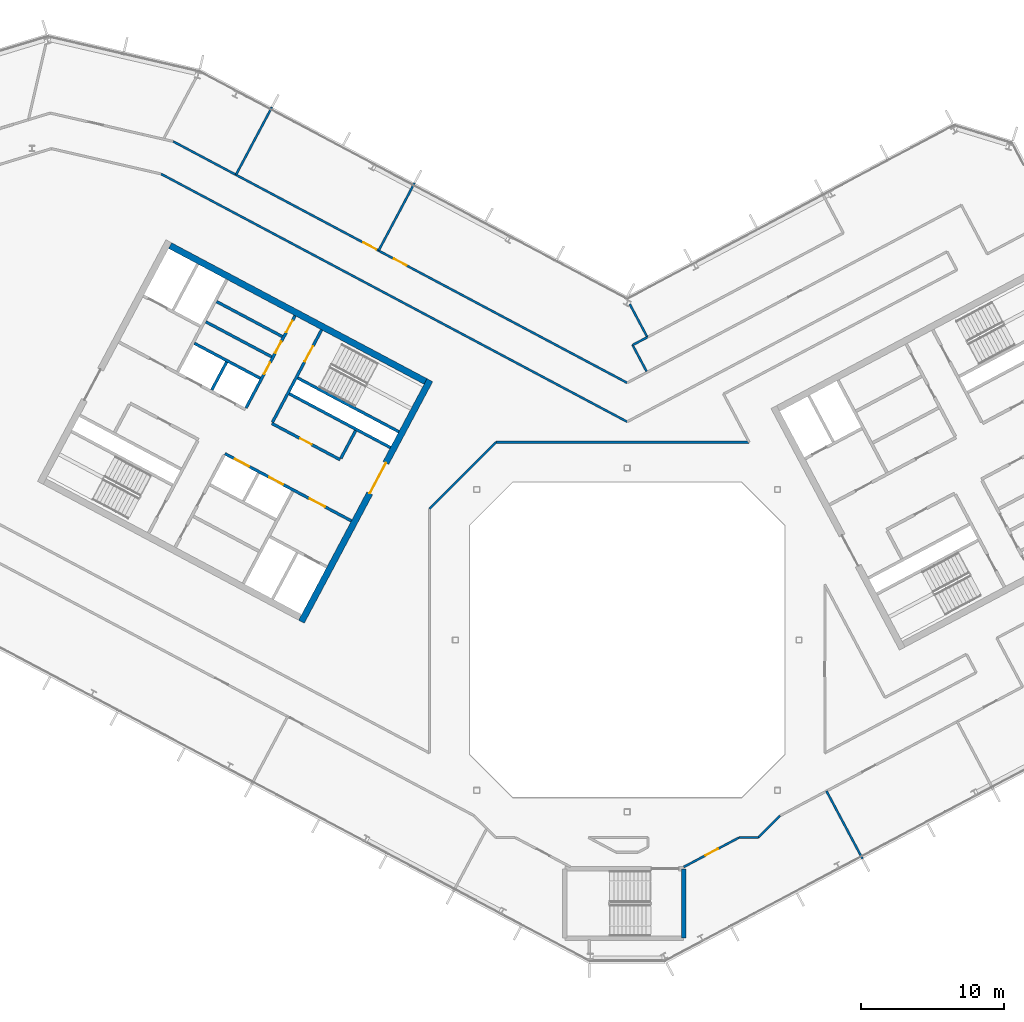
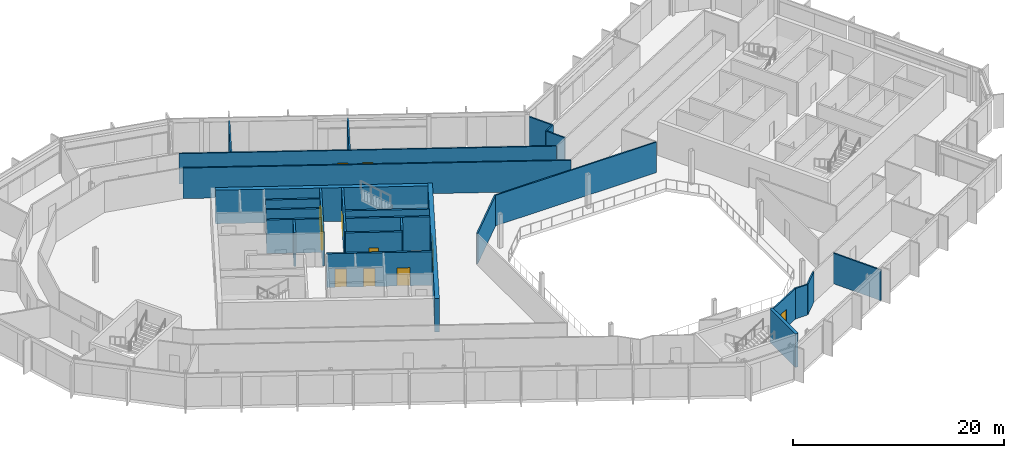
# One storey, part 15 of 26: 27 walls, 12 doors, 12 openings.
"""IFC4 building model written with IfcOpenShell, lengths in metres."""

from ifc_helpers import new_model, si_unit, direction, frame, frame_2d, origin, place, context, subcontext, project, spatial, rectangle, extrude, material, layer, layer_set, type_object, element, fill, save


model = new_model("IFC4")

# Units and contexts
model_context = context("Model", 3, precision=1e-05, world=origin(), true_north=direction((0.0, 1.0)))
body_context = subcontext(model_context, "Body", "Model", "MODEL_VIEW")
ifc_project = project(units=[si_unit("LENGTHUNIT", "METRE"), si_unit("AREAUNIT", "SQUARE_METRE"), si_unit("VOLUMEUNIT", "CUBIC_METRE"), si_unit("PLANEANGLEUNIT", "RADIAN"), si_unit("MASSUNIT", "GRAM", prefix="KILO")], contexts=[model_context])

# Site, building, storey
site_placement = place(None, origin())
site = spatial("IfcSite", under=ifc_project, at=site_placement, CompositionType="ELEMENT")
building_placement = place(site_placement, origin())
building = spatial("IfcBuilding", under=site, at=building_placement, Name="Cormorant Relay Tower", CompositionType="ELEMENT")
storey_placement = place(building_placement, frame((0.0, 0.0, 312.60009765625)))
storey = spatial("IfcBuildingStorey", under=building, at=storey_placement, Name="L71", CompositionType="ELEMENT", Elevation=312.60009765625)

# Walls
ifc_material_1 = material(Name="Concrete 40 MPa", Category="concrete")
ifc_layer_1 = layer(ifc_material_1, 0.199951171875)
ifc_layer_set_1 = layer_set([ifc_layer_1], Name="Core internal wall 200")
wall_type_1 = type_object("IfcWallType", Name="Core internal wall 200", PredefinedType="SOLIDWALL", material=ifc_layer_set_1)
wall_1_placement = place(storey_placement, frame((-27.9658203125, 19.39990234375, 0.0), z_axis=(0.0, 0.0, 1.0), x_axis=(-0.4694473164, -0.882960484464, 0.0)))
element("IfcWall", 1, at=wall_1_placement, inside=storey, type_object=wall_type_1, Name="L71 core A shaft and room wall", PredefinedType="SOLIDWALL", context=body_context, shape_type="SweptSolid", body=[
    extrude(rectangle(XDim=2.199951171875, YDim=0.199951171875, at=frame_2d((1.10009765625, 0.0))), origin(), (0.0, 0.0, 1.0), 3.89990234375),
])
for number, where, z_axis, x_axis, name in (
    (2, (-24.073974609375, 21.181396484375, 0.0), (0.0, 0.0, 1.0), (-0.882953967957, 0.469459572775, 0.0), "L71 core A shaft and room wall"),
    (3, (-24.824951171875, 19.7685546875, 0.0), (0.0, 0.0, 1.0), (-0.882934506056, 0.469496174655, 0.0), "L71 core A shaft and room wall"),
):
    element("IfcWall", number, at=place(storey_placement, frame(where, z_axis=z_axis, x_axis=x_axis)), inside=storey, type_object=wall_type_1, Name=name, PredefinedType="SOLIDWALL", context=body_context, shape_type="SweptSolid", body=[
        extrude(rectangle(XDim=5.199951171875, YDim=0.199951171875, at=frame_2d((2.60009765625, 0.0))), origin(), (0.0, 0.0, 1.0), 3.89990234375),
    ])
ifc_material_2 = material(Name="Concrete 50 MPa", Category="concrete")
ifc_layer_2 = layer(ifc_material_2, 0.199951171875)
ifc_layer_set_2 = layer_set([ifc_layer_2], Name="Core shaft wall 200")
wall_type_2 = type_object("IfcWallType", Name="Core shaft wall 200", PredefinedType="SHEAR", material=ifc_layer_set_2)
wall_2_placement = place(storey_placement, frame((-18.959716796875, 14.611328125, 0.0), z_axis=(0.0, 0.0, 1.0), x_axis=(-0.4694473164, -0.882960484464, 0.0)))
element("IfcWall", 4, at=wall_2_placement, inside=storey, type_object=wall_type_2, Name="L71 core A shaft wall", PredefinedType="SHEAR", context=body_context, shape_type="SweptSolid", body=[
    extrude(rectangle(XDim=2.199951171875, YDim=0.199951171875, at=frame_2d((1.10009765625, 0.0))), origin(), (0.0, 0.0, 1.0), 3.89990234375),
])

# Wall, opening, door
wall_3_placement = place(storey_placement, frame((-21.333251953125, 21.6494140625, 0.0), z_axis=(0.0, 0.0, 1.0), x_axis=(-0.469494272526, -0.882935517501, 0.0)))
wall_3 = element("IfcWall", 5, at=wall_3_placement, inside=storey, type_object=wall_type_2, Name="L71 core A shaft wall", PredefinedType="SHEAR", context=body_context, shape_type="SweptSolid", body=[
    extrude(rectangle(XDim=7.2998046875, YDim=0.199951171875, at=frame_2d((3.64990234375, 0.0))), origin(), (0.0, 0.0, 1.0), 3.89990234375),
])
opening_1_placement = place(wall_3_placement, frame((1.300048828125, 0.0, 0.0)))
opening_1 = element("IfcOpeningElement", 6, at=opening_1_placement, cuts=wall_3, Name="Opening CDB-038", PredefinedType="OPENING", context=body_context, shape_type="SweptSolid", body=[
    extrude(rectangle(XDim=1.199951171875, YDim=2.10009765625, at=frame_2d((0.60009765625, 1.050048828125))), frame((0.0, 0.10986328125, 0.0), z_axis=(0.0, -1.0, 0.0), x_axis=(1.0, 0.0, 0.0)), (0.0, 0.0, 1.0), 0.219970703125),
])
ifc_material_3 = material(Name="Steel fire door", Category="steel")
door_type_1 = type_object("IfcDoorType", Name="Core stair door 1200x2100", OperationType="SINGLE_SWING_LEFT", PredefinedType="DOOR", material=ifc_material_3)
door_1_placement = place(opening_1_placement, origin())
door_1 = element("IfcDoor", 7, at=door_1_placement, inside=storey, type_object=door_type_1, Name="Core stair door 1200x2100", OperationType="SINGLE_SWING_RIGHT", OverallHeight=2.10009765625, OverallWidth=1.199951171875, PredefinedType="DOOR", context=body_context, shape_type="SweptSolid", body=[
    extrude(rectangle(XDim=1.199951171875, YDim=2.10009765625, at=frame_2d((0.60009765625, 1.050048828125))), frame((0.0, 0.02490234375, 0.0), z_axis=(0.0, -1.0, 0.0), x_axis=(1.0, 0.0, 0.0)), (0.0, 0.0, 1.0), 0.050048828125),
])
fill(opening_1, door_1)

# Wall, openings, doors
wall_4_placement = place(storey_placement, frame((-23.1875, 22.635498046875, 0.0), z_axis=(0.0, 0.0, 1.0), x_axis=(-0.469454336211, -0.882956752176, 0.0)))
wall_4 = element("IfcWall", 8, at=wall_4_placement, inside=storey, type_object=wall_type_2, Name="L71 core A shaft wall", PredefinedType="SHEAR", context=body_context, shape_type="SweptSolid", body=[
    extrude(rectangle(XDim=7.300048828125, YDim=0.199951171875, at=frame_2d((3.64990234375, 0.0))), origin(), (0.0, 0.0, 1.0), 3.89990234375),
])
opening_2_placement = place(wall_4_placement, frame((0.39990234375, 0.0, 0.0)))
opening_2 = element("IfcOpeningElement", 9, at=opening_2_placement, cuts=wall_4, Name="Opening CDD-347", PredefinedType="OPENING", context=body_context, shape_type="SweptSolid", body=[
    extrude(rectangle(XDim=0.89990234375, YDim=2.10009765625, at=frame_2d((0.449951171875, 1.050048828125))), frame((0.0, 0.10986328125, 0.0), z_axis=(0.0, -1.0, 0.0), x_axis=(1.0, 0.0, 0.0)), (0.0, 0.0, 1.0), 0.219970703125),
])
opening_3_placement = place(wall_4_placement, frame((2.050048828125, 0.0, 0.0)))
opening_3 = element("IfcOpeningElement", 10, at=opening_3_placement, cuts=wall_4, Name="Opening CDD-292", PredefinedType="OPENING", context=body_context, shape_type="SweptSolid", body=[
    extrude(rectangle(XDim=0.89990234375, YDim=2.10009765625, at=frame_2d((0.449951171875, 1.050048828125))), frame((0.0, 0.10986328125, 0.0), z_axis=(0.0, -1.0, 0.0), x_axis=(1.0, 0.0, 0.0)), (0.0, 0.0, 1.0), 0.219970703125),
])
opening_4_placement = place(wall_4_placement, frame((3.699951171875, 0.0, 0.0)))
opening_4 = element("IfcOpeningElement", 11, at=opening_4_placement, cuts=wall_4, Name="Opening CDD-331", PredefinedType="OPENING", context=body_context, shape_type="SweptSolid", body=[
    extrude(rectangle(XDim=0.89990234375, YDim=2.10009765625, at=frame_2d((0.449951171875, 1.050048828125))), frame((0.0, 0.10986328125, 0.0), z_axis=(0.0, -1.0, 0.0), x_axis=(1.0, 0.0, 0.0)), (0.0, 0.0, 1.0), 0.219970703125),
])
ifc_material_4 = material(Name="Steel fire door", Category="steel")
door_type_2 = type_object("IfcDoorType", Name="Core room door 900x2100", OperationType="SINGLE_SWING_LEFT", PredefinedType="DOOR", material=ifc_material_4)
door_2_placement = place(opening_2_placement, origin())
door_2 = element("IfcDoor", 12, at=door_2_placement, inside=storey, type_object=door_type_2, Name="Core room door 900x2100", OperationType="SINGLE_SWING_LEFT", OverallHeight=2.10009765625, OverallWidth=0.89990234375, PredefinedType="DOOR", context=body_context, shape_type="SweptSolid", body=[
    extrude(rectangle(XDim=0.89990234375, YDim=2.10009765625, at=frame_2d((0.449951171875, 1.050048828125))), frame((0.0, 0.02490234375, 0.0), z_axis=(0.0, -1.0, 0.0), x_axis=(1.0, 0.0, 0.0)), (0.0, 0.0, 1.0), 0.050048828125),
])
fill(opening_2, door_2)
door_3_placement = place(opening_3_placement, origin())
door_3 = element("IfcDoor", 13, at=door_3_placement, inside=storey, type_object=door_type_2, Name="Core room door 900x2100", OperationType="SINGLE_SWING_LEFT", OverallHeight=2.10009765625, OverallWidth=0.89990234375, PredefinedType="DOOR", context=body_context, shape_type="SweptSolid", body=[
    extrude(rectangle(XDim=0.89990234375, YDim=2.10009765625, at=frame_2d((0.449951171875, 1.050048828125))), frame((0.0, 0.02490234375, 0.0), z_axis=(0.0, -1.0, 0.0), x_axis=(1.0, 0.0, 0.0)), (0.0, 0.0, 1.0), 0.050048828125),
])
fill(opening_3, door_3)
door_4_placement = place(opening_4_placement, origin())
door_4 = element("IfcDoor", 14, at=door_4_placement, inside=storey, type_object=door_type_2, Name="Core room door 900x2100", OperationType="SINGLE_SWING_LEFT", OverallHeight=2.10009765625, OverallWidth=0.89990234375, PredefinedType="DOOR", context=body_context, shape_type="SweptSolid", body=[
    extrude(rectangle(XDim=0.89990234375, YDim=2.10009765625, at=frame_2d((0.449951171875, 1.050048828125))), frame((0.0, 0.02490234375, 0.0), z_axis=(0.0, -1.0, 0.0), x_axis=(1.0, 0.0, 0.0)), (0.0, 0.0, 1.0), 0.050048828125),
])
fill(opening_4, door_4)

# Walls
wall_5_placement = place(storey_placement, frame((-15.94189453125, 14.53564453125, 0.0), z_axis=(0.0, 0.0, 1.0), x_axis=(-0.882946947542, 0.469472776449, 0.0)))
element("IfcWall", 15, at=wall_5_placement, inside=storey, type_object=wall_type_2, Name="L71 core A shaft wall", PredefinedType="SHEAR", context=body_context, shape_type="SweptSolid", body=[
    extrude(rectangle(XDim=8.000244140625, YDim=0.199951171875, at=frame_2d((4.0, 0.0))), origin(), (0.0, 0.0, 1.0), 3.89990234375),
])
wall_6_placement = place(storey_placement, frame((-16.52880859375, 13.43212890625, 0.0), z_axis=(0.0, 0.0, 1.0), x_axis=(-0.88295287151, 0.469461634952, 0.0)))
element("IfcWall", 16, at=wall_6_placement, inside=storey, type_object=wall_type_2, Name="L71 core A shaft wall", PredefinedType="SHEAR", context=body_context, shape_type="SweptSolid", body=[
    extrude(rectangle(XDim=7.999755859375, YDim=0.199951171875, at=frame_2d((4.0, 0.0))), origin(), (0.0, 0.0, 1.0), 3.89990234375),
])
wall_7_placement = place(storey_placement, frame((-25.623046875, 18.267578125, 0.0), z_axis=(0.0, 0.0, 1.0), x_axis=(-0.882953967957, 0.469459572775, 0.0)))
element("IfcWall", 17, at=wall_7_placement, inside=storey, type_object=wall_type_2, Name="L71 core A shaft wall", PredefinedType="SHEAR", context=body_context, shape_type="SweptSolid", body=[
    extrude(rectangle(XDim=5.199951171875, YDim=0.199951171875, at=frame_2d((2.60009765625, 0.0))), origin(), (0.0, 0.0, 1.0), 3.89990234375),
])

# Wall, opening, door
wall_8_placement = place(storey_placement, frame((-20.03955078125, 12.58056640625, 0.0), z_axis=(0.0, 0.0, 1.0), x_axis=(-0.882942972946, 0.469480251476, 0.0)))
wall_8 = element("IfcWall", 18, at=wall_8_placement, inside=storey, type_object=wall_type_2, Name="L71 core A shaft wall", PredefinedType="SHEAR", context=body_context, shape_type="SweptSolid", body=[
    extrude(rectangle(XDim=5.39990234375, YDim=0.199951171875, at=frame_2d((2.699951171875, 0.0))), origin(), (0.0, 0.0, 1.0), 3.89990234375),
])
opening_5_placement = place(wall_8_placement, frame((2.25, 0.0, 0.0)))
opening_5 = element("IfcOpeningElement", 19, at=opening_5_placement, cuts=wall_8, Name="Opening CDD-319", PredefinedType="OPENING", context=body_context, shape_type="SweptSolid", body=[
    extrude(rectangle(XDim=0.89990234375, YDim=2.10009765625, at=frame_2d((0.449951171875, 1.050048828125))), frame((0.0, 0.10986328125, 0.0), z_axis=(0.0, -1.0, 0.0), x_axis=(1.0, 0.0, 0.0)), (0.0, 0.0, 1.0), 0.219970703125),
])
door_5_placement = place(opening_5_placement, origin())
door_5 = element("IfcDoor", 20, at=door_5_placement, inside=storey, type_object=door_type_2, Name="Core room door 900x2100", OperationType="SINGLE_SWING_LEFT", OverallHeight=2.10009765625, OverallWidth=0.89990234375, PredefinedType="DOOR", context=body_context, shape_type="SweptSolid", body=[
    extrude(rectangle(XDim=0.89990234375, YDim=2.10009765625, at=frame_2d((0.449951171875, 1.050048828125))), frame((0.0, 0.02490234375, 0.0), z_axis=(0.0, -1.0, 0.0), x_axis=(1.0, 0.0, 0.0)), (0.0, 0.0, 1.0), 0.050048828125),
])
fill(opening_5, door_5)

# Wall, openings, doors
wall_9_placement = place(storey_placement, frame((-19.251708984375, 8.31103515625, 0.0), z_axis=(0.0, 0.0, 1.0), x_axis=(-0.882955722218, 0.469456273365, 0.0)))
wall_9 = element("IfcWall", 21, at=wall_9_placement, inside=storey, type_object=wall_type_2, Name="L71 core A shaft wall", PredefinedType="SHEAR", context=body_context, shape_type="SweptSolid", body=[
    extrude(rectangle(XDim=10.0, YDim=0.199951171875, at=frame_2d((5.0, 0.0))), origin(), (0.0, 0.0, 1.0), 3.89990234375),
])
opening_6_placement = place(wall_9_placement, frame((2.10009765625, 0.0, 0.0)))
opening_6 = element("IfcOpeningElement", 22, at=opening_6_placement, cuts=wall_9, Name="Opening CDC-033", PredefinedType="OPENING", context=body_context, shape_type="SweptSolid", body=[
    extrude(rectangle(XDim=1.199951171875, YDim=2.10009765625, at=frame_2d((0.60009765625, 1.050048828125))), frame((0.0, 0.10986328125, 0.0), z_axis=(0.0, -1.0, 0.0), x_axis=(1.0, 0.0, 0.0)), (0.0, 0.0, 1.0), 0.219970703125),
])
opening_7_placement = place(wall_9_placement, frame((5.39990234375, 0.0, 0.0)))
opening_7 = element("IfcOpeningElement", 23, at=opening_7_placement, cuts=wall_9, Name="Opening LD1-065", PredefinedType="OPENING", context=body_context, shape_type="SweptSolid", body=[
    extrude(rectangle(XDim=1.10009765625, YDim=2.10009765625, at=frame_2d((0.550048828125, 1.050048828125))), frame((0.0, 0.10986328125, 0.0), z_axis=(0.0, -1.0, 0.0), x_axis=(1.0, 0.0, 0.0)), (0.0, 0.0, 1.0), 0.219970703125),
])
opening_8_placement = place(wall_9_placement, frame((8.10009765625, 0.0, 0.0)))
opening_8 = element("IfcOpeningElement", 24, at=opening_8_placement, cuts=wall_9, Name="Opening LD1-066", PredefinedType="OPENING", context=body_context, shape_type="SweptSolid", body=[
    extrude(rectangle(XDim=1.10009765625, YDim=2.10009765625, at=frame_2d((0.550048828125, 1.050048828125))), frame((0.0, 0.10986328125, 0.0), z_axis=(0.0, -1.0, 0.0), x_axis=(1.0, 0.0, 0.0)), (0.0, 0.0, 1.0), 0.219970703125),
])
ifc_material_5 = material(Name="Steel fire door", Category="steel")
door_type_3 = type_object("IfcDoorType", Name="Core lobby door 1200x2100", OperationType="SINGLE_SWING_LEFT", PredefinedType="DOOR", material=ifc_material_5)
door_6_placement = place(opening_6_placement, origin())
door_6 = element("IfcDoor", 25, at=door_6_placement, inside=storey, type_object=door_type_3, Name="Core lobby door 1200x2100", OperationType="SINGLE_SWING_RIGHT", OverallHeight=2.10009765625, OverallWidth=1.199951171875, PredefinedType="DOOR", context=body_context, shape_type="SweptSolid", body=[
    extrude(rectangle(XDim=1.199951171875, YDim=2.10009765625, at=frame_2d((0.60009765625, 1.050048828125))), frame((0.0, 0.02490234375, 0.0), z_axis=(0.0, -1.0, 0.0), x_axis=(1.0, 0.0, 0.0)), (0.0, 0.0, 1.0), 0.050048828125),
])
fill(opening_6, door_6)
ifc_material_6 = material(Name="Stainless steel 316", Category="steel")
door_type_4 = type_object("IfcDoorType", Name="Lift landing door 1100x2100", OperationType="DOUBLE_DOOR_SLIDING", PredefinedType="DOOR", material=ifc_material_6)
door_7_placement = place(opening_7_placement, origin())
door_7 = element("IfcDoor", 26, at=door_7_placement, inside=storey, type_object=door_type_4, Name="HR1 landing door", OperationType="DOUBLE_DOOR_SLIDING", OverallHeight=2.10009765625, OverallWidth=1.10009765625, PredefinedType="DOOR", context=body_context, shape_type="SweptSolid", body=[
    extrude(rectangle(XDim=1.10009765625, YDim=2.10009765625, at=frame_2d((0.550048828125, 1.050048828125))), frame((0.0, 0.02490234375, 0.0), z_axis=(0.0, -1.0, 0.0), x_axis=(1.0, 0.0, 0.0)), (0.0, 0.0, 1.0), 0.050048828125),
])
fill(opening_7, door_7)
door_8_placement = place(opening_8_placement, origin())
door_8 = element("IfcDoor", 27, at=door_8_placement, inside=storey, type_object=door_type_4, Name="HR2 landing door", OperationType="DOUBLE_DOOR_SLIDING", OverallHeight=2.10009765625, OverallWidth=1.10009765625, PredefinedType="DOOR", context=body_context, shape_type="SweptSolid", body=[
    extrude(rectangle(XDim=1.10009765625, YDim=2.10009765625, at=frame_2d((0.550048828125, 1.050048828125))), frame((0.0, 0.02490234375, 0.0), z_axis=(0.0, -1.0, 0.0), x_axis=(1.0, 0.0, 0.0)), (0.0, 0.0, 1.0), 0.050048828125),
])
fill(opening_8, door_8)

# Wall, opening, door
ifc_material_7 = material(Name="Concrete 50 MPa", Category="concrete")
ifc_layer_3 = layer(ifc_material_7, 0.449951171875)
ifc_layer_set_3 = layer_set([ifc_layer_3], Name="Core wall 450")
wall_type_3 = type_object("IfcWallType", Name="Core wall 450", PredefinedType="SHEAR", material=ifc_layer_set_3)
wall_10_placement = place(storey_placement, frame((-13.771484375, 18.138427734375, 0.0), z_axis=(0.0, 0.0, 1.0), x_axis=(-0.469467968382, -0.882949504028, 0.0)))
wall_10 = element("IfcWall", 28, at=wall_10_placement, inside=storey, type_object=wall_type_3, Name="L71 core A wall", PredefinedType="SHEAR", context=body_context, shape_type="SweptSolid", body=[
    extrude(rectangle(XDim=19.099853515625, YDim=0.449951171875, at=frame_2d((9.5498046875, 0.0))), origin(), (0.0, 0.0, 1.0), 3.89990234375),
])
opening_9_placement = place(wall_10_placement, frame((6.550048828125, 0.0, 0.0)))
opening_9 = element("IfcOpeningElement", 29, at=opening_9_placement, cuts=wall_10, Name="Opening CDA-050", PredefinedType="OPENING", context=body_context, shape_type="SweptSolid", body=[
    extrude(rectangle(XDim=2.39990234375, YDim=2.39990234375, at=frame_2d((1.199951171875, 1.199951171875))), frame((0.0, 0.23486328125, 0.0), z_axis=(0.0, -1.0, 0.0), x_axis=(1.0, 0.0, 0.0)), (0.0, 0.0, 1.0), 0.469970703125),
])
ifc_material_8 = material(Name="Steel fire door", Category="steel")
door_type_5 = type_object("IfcDoorType", Name="Core lobby door 2400x2400", OperationType="DOUBLE_DOOR_SINGLE_SWING", PredefinedType="DOOR", material=ifc_material_8)
door_9_placement = place(opening_9_placement, origin())
door_9 = element("IfcDoor", 30, at=door_9_placement, inside=storey, type_object=door_type_5, Name="Core lobby door 2400x2400", OperationType="DOUBLE_DOOR_SINGLE_SWING", OverallHeight=2.39990234375, OverallWidth=2.39990234375, PredefinedType="DOOR", context=body_context, shape_type="SweptSolid", body=[
    extrude(rectangle(XDim=2.39990234375, YDim=2.39990234375, at=frame_2d((1.199951171875, 1.199951171875))), frame((0.0, 0.02490234375, 0.0), z_axis=(0.0, -1.0, 0.0), x_axis=(1.0, 0.0, 0.0)), (0.0, 0.0, 1.0), 0.050048828125),
])
fill(opening_9, door_9)

# Walls
wall_11_placement = place(storey_placement, frame((-14.07568359375, 18.04541015625, 0.0), z_axis=(0.0, 0.0, 1.0), x_axis=(-0.882947755831, 0.46947125628, 0.0)))
element("IfcWall", 31, at=wall_11_placement, inside=storey, type_object=wall_type_3, Name="L71 core A wall", PredefinedType="SHEAR", context=body_context, shape_type="SweptSolid", body=[
    extrude(rectangle(XDim=20.2001953125, YDim=0.449951171875, at=frame_2d((10.10009765625, 0.0))), origin(), (0.0, 0.0, 1.0), 3.89990234375),
])
ifc_material_9 = material(Name="Gypsum board fire partition")
ifc_layer_4 = layer(ifc_material_9, 0.14990234375)
ifc_layer_set_4 = layer_set([ifc_layer_4], Name="Corridor partition 150 EI 60")
wall_type_4 = type_object("IfcWallType", Name="Corridor partition 150 EI 60", PredefinedType="PARTITIONING", material=ifc_layer_set_4)
wall_12_placement = place(storey_placement, frame((-32.541015625, 32.534912109375, 0.0), z_axis=(0.0, 0.0, 1.0), x_axis=(0.882951675281, -0.469463884787, 0.0)))
element("IfcWall", 32, at=wall_12_placement, inside=storey, type_object=wall_type_4, Name="wall/L71/part/016", PredefinedType="PARTITIONING", context=body_context, shape_type="SweptSolid", body=[
    extrude(rectangle(XDim=36.854736328125, YDim=0.14990234375, at=frame_2d((18.42724609375, 0.0))), origin(), (0.0, 0.0, 1.0), 3.539794921875),
])
wall_13_placement = place(storey_placement, frame((8.51806640625, 13.800048828125, 0.0), z_axis=(0.0, 0.0, 1.0), x_axis=(-1.0, 0.0, 0.0)))
element("IfcWall", 33, at=wall_13_placement, inside=storey, type_object=wall_type_4, Name="wall/L71/part/021", PredefinedType="PARTITIONING", context=body_context, shape_type="SweptSolid", body=[
    extrude(rectangle(XDim=17.677978515625, YDim=0.14990234375, at=frame_2d((8.8388671875, 0.0))), origin(), (0.0, 0.0, 1.0), 3.539794921875),
])
wall_14_placement = place(storey_placement, frame((-9.159912109375, 13.800048828125, 0.0), z_axis=(0.0, 0.0, 1.0), x_axis=(-0.707106781187, -0.707106781187, 0.0)))
element("IfcWall", 34, at=wall_14_placement, inside=storey, type_object=wall_type_4, Name="wall/L71/part/022", PredefinedType="PARTITIONING", context=body_context, shape_type="SweptSolid", body=[
    extrude(rectangle(XDim=6.562255859375, YDim=0.14990234375, at=frame_2d((3.28125, 0.0))), origin(), (0.0, 0.0, 1.0), 3.539794921875),
])

# Wall, openings, doors
wall_15_placement = place(storey_placement, frame((-31.693115234375, 34.802978515625, 0.0), z_axis=(0.0, 0.0, 1.0), x_axis=(0.882941558982, -0.469482910683, 0.0)))
wall_15 = element("IfcWall", 35, at=wall_15_placement, inside=storey, type_object=wall_type_4, Name="wall/L71/part/039", PredefinedType="PARTITIONING", context=body_context, shape_type="SweptSolid", body=[
    extrude(rectangle(XDim=35.89501953125, YDim=0.14990234375, at=frame_2d((17.947509765625, 0.0))), origin(), (0.0, 0.0, 1.0), 3.539794921875),
])
opening_10_placement = place(wall_15_placement, frame((17.449951171875, 0.0, 0.0)))
opening_10 = element("IfcOpeningElement", 36, at=opening_10_placement, cuts=wall_15, Name="Opening DS-247", PredefinedType="OPENING", context=body_context, shape_type="SweptSolid", body=[
    extrude(rectangle(XDim=1.0, YDim=2.10009765625, at=frame_2d((0.5, 1.050048828125))), frame((0.0, 0.0849609375, 0.0), z_axis=(0.0, -1.0, 0.0), x_axis=(1.0, 0.0, 0.0)), (0.0, 0.0, 1.0), 0.169921875),
])
opening_11_placement = place(wall_15_placement, frame((15.050048828125, 0.0, 0.0)))
opening_11 = element("IfcOpeningElement", 37, at=opening_11_placement, cuts=wall_15, Name="Opening DS-248", PredefinedType="OPENING", context=body_context, shape_type="SweptSolid", body=[
    extrude(rectangle(XDim=1.0, YDim=2.10009765625, at=frame_2d((0.5, 1.050048828125))), frame((0.0, 0.0849609375, 0.0), z_axis=(0.0, -1.0, 0.0), x_axis=(1.0, 0.0, 0.0)), (0.0, 0.0, 1.0), 0.169921875),
])
ifc_material_10 = material(Name="Timber door leaf", Category="wood")
door_type_6 = type_object("IfcDoorType", Name="Suite door 1000x2100", OperationType="SINGLE_SWING_LEFT", PredefinedType="DOOR", material=ifc_material_10)
door_10_placement = place(opening_10_placement, origin())
door_10 = element("IfcDoor", 38, at=door_10_placement, inside=storey, type_object=door_type_6, Name="door/L71/006", OperationType="SINGLE_SWING_LEFT", OverallHeight=2.10009765625, OverallWidth=1.0, PredefinedType="DOOR", context=body_context, shape_type="SweptSolid", body=[
    extrude(rectangle(XDim=1.0, YDim=2.10009765625, at=frame_2d((0.5, 1.050048828125))), frame((0.0, 0.02490234375, 0.0), z_axis=(0.0, -1.0, 0.0), x_axis=(1.0, 0.0, 0.0)), (0.0, 0.0, 1.0), 0.050048828125),
])
fill(opening_10, door_10)
door_11_placement = place(opening_11_placement, origin())
door_11 = element("IfcDoor", 39, at=door_11_placement, inside=storey, type_object=door_type_6, Name="door/L71/007", OperationType="SINGLE_SWING_RIGHT", OverallHeight=2.10009765625, OverallWidth=1.0, PredefinedType="DOOR", context=body_context, shape_type="SweptSolid", body=[
    extrude(rectangle(XDim=1.0, YDim=2.10009765625, at=frame_2d((0.5, 1.050048828125))), frame((0.0, 0.02490234375, 0.0), z_axis=(0.0, -1.0, 0.0), x_axis=(1.0, 0.0, 0.0)), (0.0, 0.0, 1.0), 0.050048828125),
])
fill(opening_11, door_11)

# Wall, opening, door
wall_16_placement = place(storey_placement, frame((7.806884765625, -13.800048828125, 0.0), z_axis=(0.0, 0.0, 1.0), x_axis=(-0.883014998399, -0.469344769442, 0.0)))
wall_16 = element("IfcWall", 40, at=wall_16_placement, inside=storey, type_object=wall_type_4, Name="wall/L71/part/055", PredefinedType="PARTITIONING", context=body_context, shape_type="SweptSolid", body=[
    extrude(rectangle(XDim=4.36328125, YDim=0.14990234375, at=frame_2d((2.181640625, 0.0))), origin(), (0.0, 0.0, 1.0), 3.539794921875),
])
opening_12_placement = place(wall_16_placement, frame((1.64990234375, 0.0, 0.0)))
opening_12 = element("IfcOpeningElement", 41, at=opening_12_placement, cuts=wall_16, Name="Opening DS-243", PredefinedType="OPENING", context=body_context, shape_type="SweptSolid", body=[
    extrude(rectangle(XDim=1.0, YDim=2.10009765625, at=frame_2d((0.5, 1.050048828125))), frame((0.0, 0.0849609375, 0.0), z_axis=(0.0, -1.0, 0.0), x_axis=(1.0, 0.0, 0.0)), (0.0, 0.0, 1.0), 0.169921875),
])
door_12_placement = place(opening_12_placement, origin())
door_12 = element("IfcDoor", 42, at=door_12_placement, inside=storey, type_object=door_type_6, Name="door/L71/002", OperationType="SINGLE_SWING_LEFT", OverallHeight=2.10009765625, OverallWidth=1.0, PredefinedType="DOOR", context=body_context, shape_type="SweptSolid", body=[
    extrude(rectangle(XDim=1.0, YDim=2.10009765625, at=frame_2d((0.5, 1.050048828125))), frame((0.0, 0.02490234375, 0.0), z_axis=(0.0, -1.0, 0.0), x_axis=(1.0, 0.0, 0.0)), (0.0, 0.0, 1.0), 0.050048828125),
])
fill(opening_12, door_12)

# Walls
wall_17_placement = place(storey_placement, frame((10.679931640625, -12.280029296875, 0.0), z_axis=(0.0, 0.0, 1.0), x_axis=(-0.707106781187, -0.707106781187, 0.0)))
element("IfcWall", 43, at=wall_17_placement, inside=storey, type_object=wall_type_4, Name="wall/L71/part/056", PredefinedType="PARTITIONING", context=body_context, shape_type="SweptSolid", body=[
    extrude(rectangle(XDim=2.149658203125, YDim=0.14990234375, at=frame_2d((1.07470703125, 0.0))), origin(), (0.0, 0.0, 1.0), 3.539794921875),
])
wall_18_placement = place(storey_placement, frame((9.159912109375, -13.800048828125, 0.0), z_axis=(0.0, 0.0, 1.0), x_axis=(-1.0, 0.0, 0.0)))
element("IfcWall", 44, at=wall_18_placement, inside=storey, type_object=wall_type_4, Name="wall/L71/part/057", PredefinedType="PARTITIONING", context=body_context, shape_type="SweptSolid", body=[
    extrude(rectangle(XDim=1.3388671875, YDim=0.14990234375, at=frame_2d((0.66943359375, 0.0))), origin(), (0.0, 0.0, 1.0), 3.539794921875),
])
ifc_material_11 = material(Name="Concrete 50 MPa", Category="concrete")
ifc_layer_5 = layer(ifc_material_11, 0.300048828125)
ifc_layer_set_5 = layer_set([ifc_layer_5], Name="Remote stair wall 300")
wall_type_5 = type_object("IfcWallType", Name="Remote stair wall 300", PredefinedType="SHEAR", material=ifc_layer_set_5)
wall_19_placement = place(storey_placement, frame((3.949951171875, -15.97509765625, 0.0), z_axis=(0.0, 0.0, 1.0), x_axis=(0.0, -1.0, 0.0)))
element("IfcWall", 45, at=wall_19_placement, inside=storey, type_object=wall_type_5, Name="L71 exit stair RK1 wall", PredefinedType="SHEAR", context=body_context, shape_type="SweptSolid", body=[
    extrude(rectangle(XDim=4.849853515625, YDim=0.300048828125, at=frame_2d((2.4248046875, 0.0))), origin(), (0.0, 0.0, 1.0), 3.89990234375),
])
ifc_material_12 = material(Name="Gypsum board partition")
ifc_layer_6 = layer(ifc_material_12, 0.14990234375)
ifc_layer_set_6 = layer_set([ifc_layer_6], Name="Tenant partition 150")
wall_type_6 = type_object("IfcWallType", Name="Tenant partition 150", PredefinedType="PARTITIONING", material=ifc_layer_set_6)
wall_20_placement = place(storey_placement, frame((-14.843994140625, 31.903076171875, 0.0), z_axis=(0.0, 0.0, 1.0), x_axis=(-0.469344284682, -0.883015256061, 0.0)))
element("IfcWall", 46, at=wall_20_placement, inside=storey, type_object=wall_type_6, Name="wall/L71/part/042", PredefinedType="PARTITIONING", context=body_context, shape_type="SweptSolid", body=[
    extrude(rectangle(XDim=5.35009765625, YDim=0.14990234375, at=frame_2d((2.675048828125, 0.0))), origin(), (0.0, 0.0, 1.0), 3.539794921875),
])
wall_21_placement = place(storey_placement, frame((-27.31201171875, 32.47412109375, 0.0), z_axis=(0.0, 0.0, 1.0), x_axis=(0.469581183092, 0.882889297979, 0.0)))
element("IfcWall", 47, at=wall_21_placement, inside=storey, type_object=wall_type_6, Name="wall/L71/part/043", PredefinedType="PARTITIONING", context=body_context, shape_type="SweptSolid", body=[
    extrude(rectangle(XDim=5.349365234375, YDim=0.14990234375, at=frame_2d((2.6748046875, 0.0))), origin(), (0.0, 0.0, 1.0), 3.539794921875),
])
wall_22_placement = place(storey_placement, frame((0.177978515625, 23.449951171875, 0.0), z_axis=(0.0, 0.0, 1.0), x_axis=(0.469495603372, -0.882934809833, 0.0)))
element("IfcWall", 48, at=wall_22_placement, inside=storey, type_object=wall_type_6, Name="wall/L71/part/050", PredefinedType="PARTITIONING", context=body_context, shape_type="SweptSolid", body=[
    extrude(rectangle(XDim=2.621826171875, YDim=0.14990234375, at=frame_2d((1.31103515625, 0.0))), origin(), (0.0, 0.0, 1.0), 3.539794921875),
])
wall_23_placement = place(storey_placement, frame((1.404052734375, 21.133056640625, 0.0), z_axis=(0.0, 0.0, 1.0), x_axis=(-0.882568125156, -0.47018454298, 0.0)))
element("IfcWall", 49, at=wall_23_placement, inside=storey, type_object=wall_type_6, Name="wall/L71/part/051", PredefinedType="PARTITIONING", context=body_context, shape_type="SweptSolid", body=[
    extrude(rectangle(XDim=1.16162109375, YDim=0.14990234375, at=frame_2d((0.580810546875, 0.0))), origin(), (0.0, 0.0, 1.0), 3.539794921875),
])
wall_24_placement = place(storey_placement, frame((1.360107421875, 18.741943359375, 0.0), z_axis=(0.0, 0.0, 1.0), x_axis=(-0.469357296394, 0.883008339894, 0.0)))
element("IfcWall", 50, at=wall_24_placement, inside=storey, type_object=wall_type_6, Name="wall/L71/part/052", PredefinedType="PARTITIONING", context=body_context, shape_type="SweptSolid", body=[
    extrude(rectangle(XDim=2.090576171875, YDim=0.14990234375, at=frame_2d((1.04541015625, 0.0))), origin(), (0.0, 0.0, 1.0), 3.539794921875),
])
wall_25_placement = place(storey_placement, frame((13.9169921875, -10.552001953125, 0.0), z_axis=(0.0, 0.0, 1.0), x_axis=(0.469581183092, -0.882889297979, 0.0)))
element("IfcWall", 51, at=wall_25_placement, inside=storey, type_object=wall_type_6, Name="wall/L71/part/058", PredefinedType="PARTITIONING", context=body_context, shape_type="SweptSolid", body=[
    extrude(rectangle(XDim=5.349365234375, YDim=0.14990234375, at=frame_2d((2.6748046875, 0.0))), origin(), (0.0, 0.0, 1.0), 3.539794921875),
])

save(model, "model.ifc")
